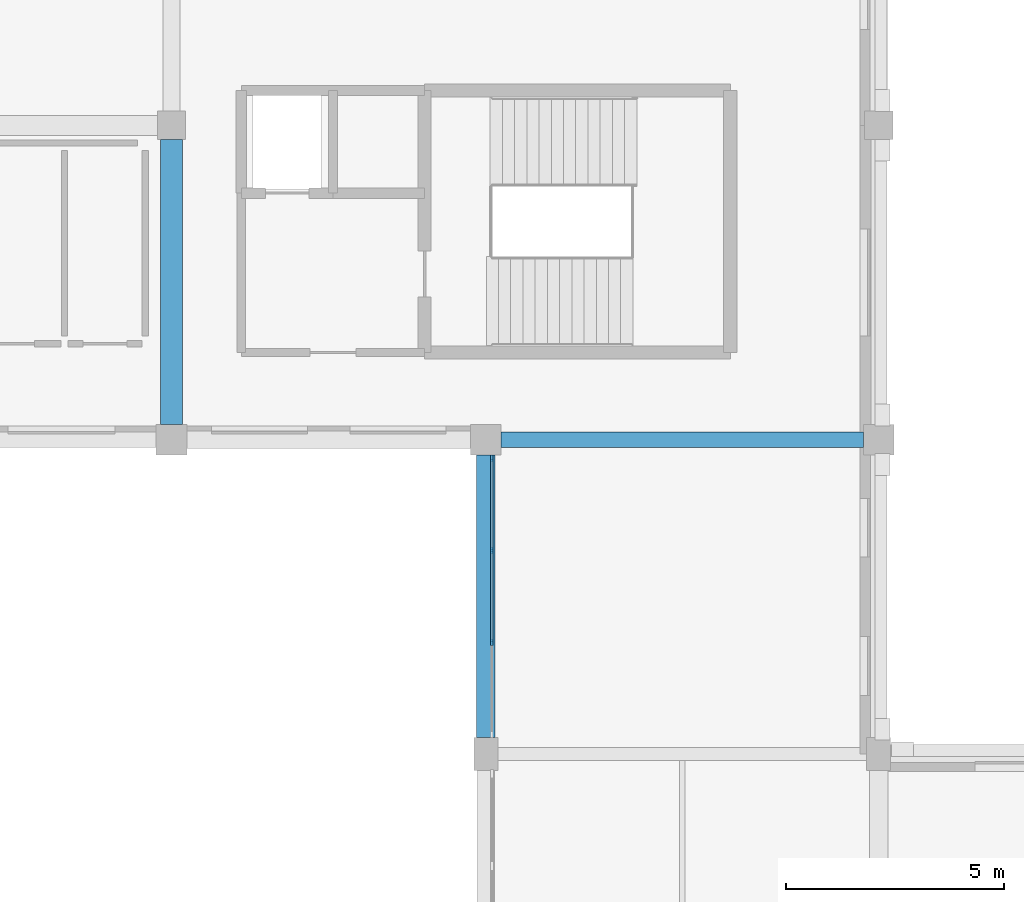
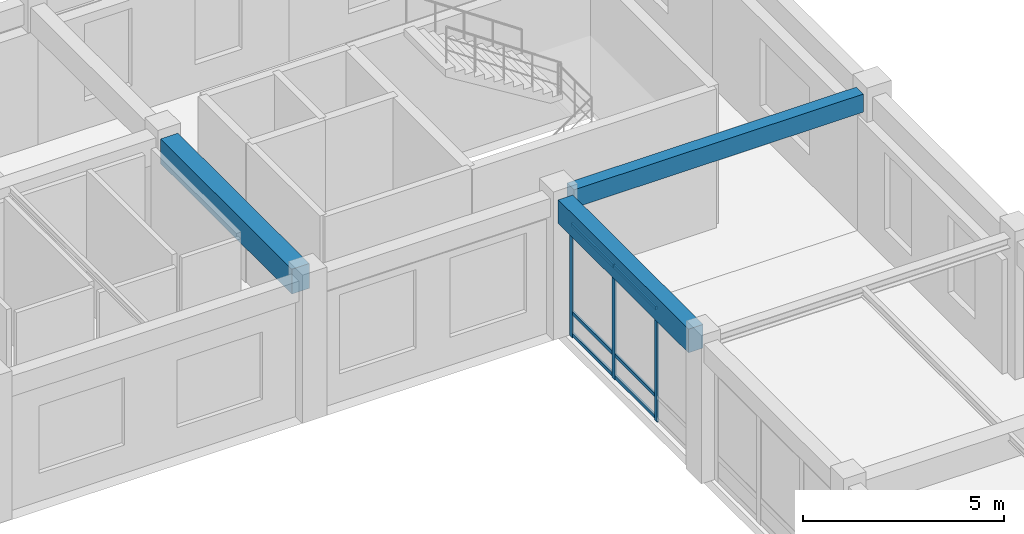
# One storey, part 16 of 62: 9 members, 3 beams, 1 element without a shape of its own.
"""IFC4 building model written with IfcOpenShell, lengths in metres."""

from ifc_helpers import new_model, si_unit, direction, frame, origin, origin_2d, place, context, subcontext, project, spatial, rectangle, extrude, material, material_profile, profile_set, type_object, element, aggregate, save


model = new_model("IFC4")

# Units and contexts
model_context = context("Model", 3, precision=1e-05, world=origin(), true_north=direction((0.0, 1.0)))
body_context = subcontext(model_context, "Body", "Model", "MODEL_VIEW")
ifc_project = project(units=[si_unit("LENGTHUNIT", "METRE"), si_unit("AREAUNIT", "SQUARE_METRE"), si_unit("VOLUMEUNIT", "CUBIC_METRE"), si_unit("PLANEANGLEUNIT", "RADIAN"), si_unit("MASSUNIT", "GRAM", prefix="KILO")], contexts=[model_context])

# Site, building, storey
site_placement = place(None, origin())
site = spatial("IfcSite", under=ifc_project, at=site_placement, CompositionType="ELEMENT")
building_placement = place(site_placement, origin())
building = spatial("IfcBuilding", under=site, at=building_placement, Name="Clarverna Civic Hall", CompositionType="ELEMENT")
storey_placement = place(building_placement, frame((0.0, 0.0, 5.10009765625)))
storey = spatial("IfcBuildingStorey", under=building, at=storey_placement, Name="L01", CompositionType="ELEMENT", Elevation=5.10009765625)

# Beams
ifc_material_1 = material(Name="Concrete C35/45", Category="concrete")
ifc_material_profile_1 = material_profile(ifc_material_1, rectangle(XDim=0.5, YDim=0.75, at=origin_2d()), Name="RC 500x750")
ifc_profile_set_1 = profile_set([ifc_material_profile_1], Name="Concrete C35/45")
beam_type_1 = type_object("IfcBeamType", Name="B-RC15", PredefinedType="BEAM", material=ifc_profile_set_1)
beam_1_placement = place(storey_placement, frame((50.39990234375, 102.550048828125, 3.844970703125), z_axis=(0.0, 1.0, 0.0), x_axis=(-1.0, 0.0, 0.0)))
element("IfcBeam", 1, at=beam_1_placement, inside=storey, type_object=beam_type_1, Name="B-RC15-031", PredefinedType="BEAM", context=body_context, shape_type="SweptSolid", body=[
    extrude(rectangle(XDim=0.5, YDim=0.75, at=origin_2d()), origin(), (0.0, 0.0, 1.0), 6.52490234375),
])
ifc_material_profile_2 = material_profile(ifc_material_1, rectangle(XDim=0.35009765625, YDim=0.550048828125, at=origin_2d()), Name="RC 350x550")
ifc_profile_set_2 = profile_set([ifc_material_profile_2], Name="Concrete C35/45")
beam_type_2 = type_object("IfcBeamType", Name="B-RC9", PredefinedType="BEAM", material=ifc_profile_set_2)
beam_2_placement = place(storey_placement, frame((57.949951171875, 102.199951171875, 3.94482421875), z_axis=(1.0, 0.0, 0.0), x_axis=(0.0, 1.0, 0.0)))
element("IfcBeam", 2, at=beam_2_placement, inside=storey, type_object=beam_type_2, Name="B-RC9-027", PredefinedType="BEAM", context=body_context, shape_type="SweptSolid", body=[
    extrude(rectangle(XDim=0.35009765625, YDim=0.550048828125, at=origin_2d()), origin(), (0.0, 0.0, 1.0), 8.300048828125),
])
ifc_material_profile_3 = material_profile(ifc_material_1, rectangle(XDim=0.419921875, YDim=0.719970703125, at=origin_2d()), Name="RC 420x720")
ifc_profile_set_3 = profile_set([ifc_material_profile_3], Name="Concrete C35/45")
beam_type_3 = type_object("IfcBeamType", Name="B-SP1", PredefinedType="SPANDREL", material=ifc_profile_set_3)
beam_3_placement = place(storey_placement, frame((57.60009765625, 95.375, 3.85986328125), z_axis=(0.0, 1.0, 0.0), x_axis=(-1.0, 0.0, 0.0)))
element("IfcBeam", 3, at=beam_3_placement, inside=storey, type_object=beam_type_3, Name="B-SP1-074", PredefinedType="SPANDREL", context=body_context, shape_type="SweptSolid", body=[
    extrude(rectangle(XDim=0.419921875, YDim=0.719970703125, at=origin_2d()), origin(), (0.0, 0.0, 1.0), 6.47509765625),
])

# Curtain wall, members
ifc_material_2 = material(Name="Anodised Bronze Architectural Aluminium", Category="aluminium")
curtain_wall_type = type_object("IfcCurtainWallType", Name="CW-04", PredefinedType="USERDEFINED", material=ifc_material_2)
curtain_wall_placement = place(storey_placement, origin())
curtain_wall = element("IfcCurtainWall", 4, at=curtain_wall_placement, inside=storey, type_object=curtain_wall_type, Name="CW-04-026", ObjectType="UNITISED CURTAIN WALL", PredefinedType="USERDEFINED")
ifc_material_profile_4 = material_profile(ifc_material_2, rectangle(XDim=0.054931640625, YDim=0.139892578125, at=origin_2d()), Name="BRONZE 55x140")
ifc_profile_set_4 = profile_set([ifc_material_profile_4], Name="Anodised Bronze Architectural Aluminium")
member_type_1 = type_object("IfcMemberType", Name="CWM-04", PredefinedType="MULLION", material=ifc_profile_set_4)
member_1_placement = place(storey_placement, frame((57.739990234375, 97.5576171875, 0.0), z_axis=(0.0, 0.0, 1.0), x_axis=(1.0, 0.0, 0.0)))
member_1 = element("IfcMember", 5, at=member_1_placement, type_object=member_type_1, Name="CWM-04-078", PredefinedType="MULLION", context=body_context, shape_type="SweptSolid", body=[
    extrude(rectangle(XDim=0.054931640625, YDim=0.139892578125, at=origin_2d()), origin(), (0.0, 0.0, 1.0), 3.5),
])
member_2_placement = place(storey_placement, frame((57.739990234375, 99.667236328125, 0.0), z_axis=(0.0, 0.0, 1.0), x_axis=(1.0, 0.0, 0.0)))
member_2 = element("IfcMember", 6, at=member_2_placement, type_object=member_type_1, Name="CWM-04-079", PredefinedType="MULLION", context=body_context, shape_type="SweptSolid", body=[
    extrude(rectangle(XDim=0.054931640625, YDim=0.139892578125, at=origin_2d()), origin(), (0.0, 0.0, 1.0), 3.5),
])
member_3_placement = place(storey_placement, frame((57.739990234375, 101.777099609375, 0.0), z_axis=(0.0, 0.0, 1.0), x_axis=(1.0, 0.0, 0.0)))
member_3 = element("IfcMember", 7, at=member_3_placement, type_object=member_type_1, Name="CWM-04-080", PredefinedType="MULLION", context=body_context, shape_type="SweptSolid", body=[
    extrude(rectangle(XDim=0.054931640625, YDim=0.139892578125, at=origin_2d()), origin(), (0.0, 0.0, 1.0), 3.5),
])
ifc_material_profile_5 = material_profile(ifc_material_2, rectangle(XDim=0.054931640625, YDim=0.110107421875, at=origin_2d()), Name="BRONZE 55x110")
ifc_profile_set_5 = profile_set([ifc_material_profile_5], Name="Anodised Bronze Architectural Aluminium")
member_type_2 = type_object("IfcMemberType", Name="CWT-04", PredefinedType="USERDEFINED", material=ifc_profile_set_5)
member_4_placement = place(storey_placement, frame((57.739990234375, 97.57275390625, 0.094970703125), z_axis=(0.0, 1.0, 0.0), x_axis=(-1.0, 0.0, 0.0)))
member_4 = element("IfcMember", 8, at=member_4_placement, type_object=member_type_2, Name="CWT-04-163", ObjectType="TRANSOM", PredefinedType="USERDEFINED", context=body_context, shape_type="SweptSolid", body=[
    extrude(rectangle(XDim=0.054931640625, YDim=0.110107421875, at=origin_2d()), origin(), (0.0, 0.0, 1.0), 2.07958984375),
])
member_5_placement = place(storey_placement, frame((57.739990234375, 97.57275390625, 0.75), z_axis=(0.0, 1.0, 0.0), x_axis=(-1.0, 0.0, 0.0)))
member_5 = element("IfcMember", 9, at=member_5_placement, type_object=member_type_2, Name="CWT-04-164", ObjectType="TRANSOM", PredefinedType="USERDEFINED", context=body_context, shape_type="SweptSolid", body=[
    extrude(rectangle(XDim=0.054931640625, YDim=0.110107421875, at=origin_2d()), origin(), (0.0, 0.0, 1.0), 2.07958984375),
])
member_6_placement = place(storey_placement, frame((57.739990234375, 97.57275390625, 3.40478515625), z_axis=(0.0, 1.0, 0.0), x_axis=(-1.0, 0.0, 0.0)))
member_6 = element("IfcMember", 10, at=member_6_placement, type_object=member_type_2, Name="CWT-04-165", ObjectType="TRANSOM", PredefinedType="USERDEFINED", context=body_context, shape_type="SweptSolid", body=[
    extrude(rectangle(XDim=0.054931640625, YDim=0.110107421875, at=origin_2d()), origin(), (0.0, 0.0, 1.0), 2.07958984375),
])
member_7_placement = place(storey_placement, frame((57.739990234375, 99.682373046875, 0.094970703125), z_axis=(0.0, 1.0, 0.0), x_axis=(-1.0, 0.0, 0.0)))
member_7 = element("IfcMember", 11, at=member_7_placement, type_object=member_type_2, Name="CWT-04-166", ObjectType="TRANSOM", PredefinedType="USERDEFINED", context=body_context, shape_type="SweptSolid", body=[
    extrude(rectangle(XDim=0.054931640625, YDim=0.110107421875, at=origin_2d()), origin(), (0.0, 0.0, 1.0), 2.07958984375),
])
member_8_placement = place(storey_placement, frame((57.739990234375, 99.682373046875, 0.75), z_axis=(0.0, 1.0, 0.0), x_axis=(-1.0, 0.0, 0.0)))
member_8 = element("IfcMember", 12, at=member_8_placement, type_object=member_type_2, Name="CWT-04-167", ObjectType="TRANSOM", PredefinedType="USERDEFINED", context=body_context, shape_type="SweptSolid", body=[
    extrude(rectangle(XDim=0.054931640625, YDim=0.110107421875, at=origin_2d()), origin(), (0.0, 0.0, 1.0), 2.07958984375),
])
member_9_placement = place(storey_placement, frame((57.739990234375, 99.682373046875, 3.40478515625), z_axis=(0.0, 1.0, 0.0), x_axis=(-1.0, 0.0, 0.0)))
member_9 = element("IfcMember", 13, at=member_9_placement, type_object=member_type_2, Name="CWT-04-168", ObjectType="TRANSOM", PredefinedType="USERDEFINED", context=body_context, shape_type="SweptSolid", body=[
    extrude(rectangle(XDim=0.054931640625, YDim=0.110107421875, at=origin_2d()), origin(), (0.0, 0.0, 1.0), 2.07958984375),
])
aggregate(curtain_wall, [member_1, member_2, member_3, member_4, member_5, member_6, member_7, member_8, member_9])

save(model, "model.ifc")
